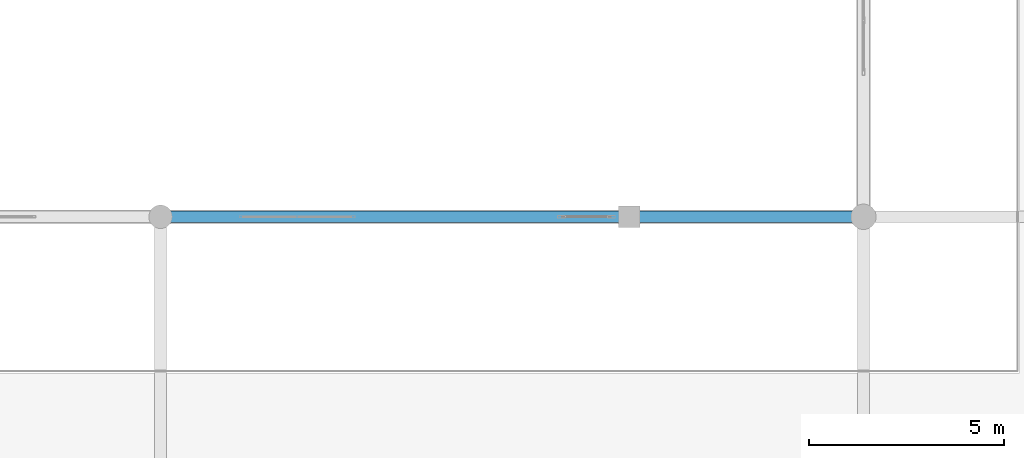
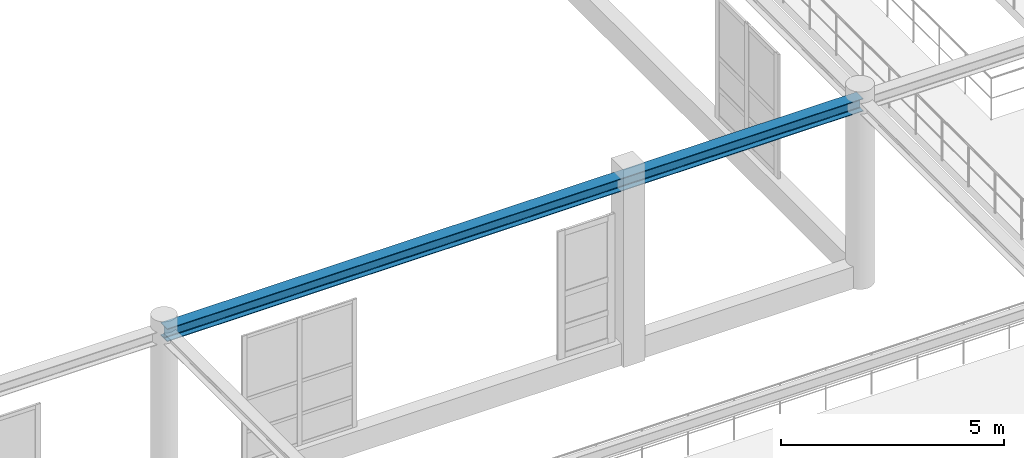
# One storey, part 64 of 197: 1 beam.
"""IFC4 building model written with IfcOpenShell, lengths in metres."""

from ifc_helpers import new_model, si_unit, derived_unit, direction, frame, origin, origin_2d, place, context, subcontext, project, spatial, i_section, extrude, material, material_profile, profile_set, type_object, element, save


model = new_model("IFC4")

# Units and contexts
model_context = context("Model", 3, precision=1e-05, world=origin(), true_north=direction((0.0, 1.0)))
body_context = subcontext(model_context, "Body", "Model", "MODEL_VIEW")
ifc_project = project(units=[si_unit("LENGTHUNIT", "METRE"), si_unit("AREAUNIT", "SQUARE_METRE"), si_unit("VOLUMEUNIT", "CUBIC_METRE"), si_unit("PLANEANGLEUNIT", "RADIAN"), si_unit("MASSUNIT", "GRAM", prefix="KILO"), derived_unit("THERMALTRANSMITTANCEUNIT", [(si_unit("POWERUNIT", "WATT"), 1), (si_unit("LENGTHUNIT", "METRE"), -2), (si_unit("THERMODYNAMICTEMPERATUREUNIT", "KELVIN"), -1)])], contexts=[model_context])

# Site, building, storey
site_placement = place(None, origin())
site = spatial("IfcSite", under=ifc_project, at=site_placement, CompositionType="ELEMENT")
building_placement = place(site_placement, origin())
building = spatial("IfcBuilding", under=site, at=building_placement, Name="Almenara Railside Exhibition Hall", CompositionType="ELEMENT")
storey_placement = place(building_placement, frame((0.0, 0.0, 5.39990234375)))
storey = spatial("IfcBuildingStorey", under=building, at=storey_placement, Name="L01", CompositionType="ELEMENT", Elevation=5.39990234375)

# Beam
ifc_material = material(Name="Structural steel S355JR", Category="steel")
ifc_material_profile = material_profile(ifc_material, i_section(OverallWidth=0.300048828125, OverallDepth=0.35009765625, WebThickness=0.010009765625, FlangeThickness=0.017578125, FilletRadius=0.027099609375, at=origin_2d()), Name="HEA 360")
ifc_profile_set = profile_set([ifc_material_profile], Name="Structural steel S355JR")
beam_type = type_object("IfcBeamType", Name="Steel Concourse Frame Beam HEA 360 S355JR", PredefinedType="BEAM", material=ifc_profile_set)
beam_placement = place(storey_placement, frame((102.0, 54.0, 4.9111328125), z_axis=(1.0, 0.0, 0.0), x_axis=(0.0, 1.0, 0.0)))
element("IfcBeam", 1, at=beam_placement, inside=storey, type_object=beam_type, Name="Beam 0791", PredefinedType="BEAM", context=body_context, shape_type="SweptSolid", body=[
    extrude(i_section(OverallWidth=0.300048828125, OverallDepth=0.35009765625, WebThickness=0.010009765625, FlangeThickness=0.017578125, FilletRadius=0.027099609375, at=origin_2d()), origin(), (0.0, 0.0, 1.0), 18.0),
])

save(model, "model.ifc")
